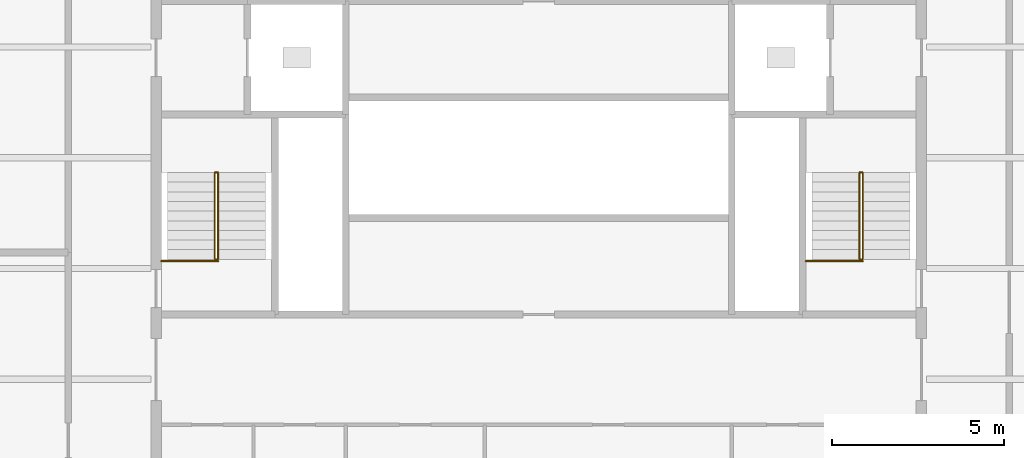
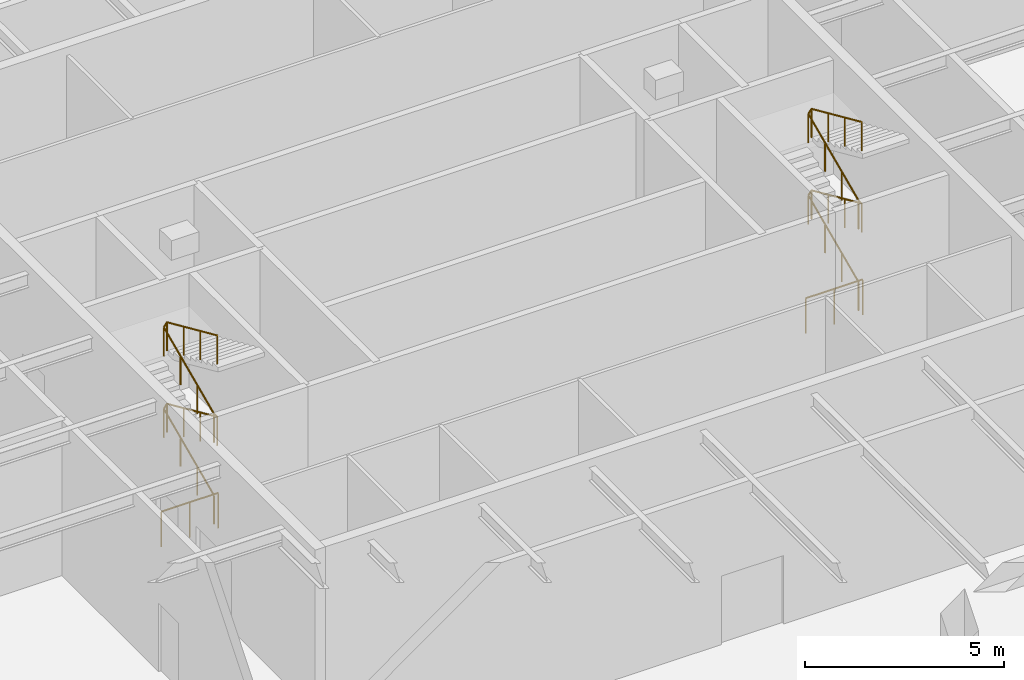
# One storey, part 6 of 6: 4 railings.
"""IFC4 building model written with IfcOpenShell, lengths in metres."""

from ifc_helpers import new_model, si_unit, direction, frame, origin, origin_2d, place, context, subcontext, project, spatial, circle, extrude, material, type_object, element, save


model = new_model("IFC4")

# Units and contexts
model_context = context("Model", 3, precision=1e-05, world=origin(), true_north=direction((0.0, 1.0)))
body_context = subcontext(model_context, "Body", "Model", "MODEL_VIEW")
ifc_project = project(units=[si_unit("LENGTHUNIT", "METRE"), si_unit("AREAUNIT", "SQUARE_METRE"), si_unit("VOLUMEUNIT", "CUBIC_METRE"), si_unit("PLANEANGLEUNIT", "RADIAN"), si_unit("MASSUNIT", "GRAM", prefix="KILO")], contexts=[model_context])

# Site, building, storey
site_placement = place(None, origin())
site = spatial("IfcSite", under=ifc_project, at=site_placement, CompositionType="ELEMENT")
building_placement = place(site_placement, origin())
building = spatial("IfcBuilding", under=site, at=building_placement, Name="Quoin Convention Tower", CompositionType="ELEMENT")
storey_placement = place(building_placement, frame((0.0, 0.0, 268.699951171875)))
storey = spatial("IfcBuildingStorey", under=building, at=storey_placement, Name="L70", CompositionType="ELEMENT", Elevation=268.699951171875)

# Railings
ifc_material = material(Name="Stainless steel", Category="steel")
railing_type_1 = type_object("IfcRailingType", Name="Stair handrail 900", PredefinedType="HANDRAIL", material=ifc_material)
railing_1_placement = place(storey_placement, frame((46.85498046875, 57.800048828125, 0.125)))
element("IfcRailing", 1, at=railing_1_placement, inside=storey, type_object=railing_type_1, Name="SD1 handrail 1", PredefinedType="HANDRAIL", context=body_context, shape_type="SweptSolid", body=[
    extrude(circle(Radius=0.02392578125, at=origin_2d()), frame((0.0, 0.0, 0.8759765625), z_axis=(0.0, 0.913139058521, 0.407648205936), x_axis=(-1.0, 0.0, 0.0)), (0.0, 0.0, 1.0), 2.759765625),
    extrude(circle(Radius=0.02392578125, at=origin_2d()), frame((0.0, 2.52001953125, 2.0009765625), z_axis=(0.584680334893, 0.0, 0.811263770909), x_axis=(0.0, 1.0, 0.0)), (0.0, 0.0, 1.0), 0.154052734375),
    extrude(circle(Radius=0.02392578125, at=origin_2d()), frame((0.090087890625, 2.52001953125, 2.1259765625), z_axis=(0.0, -0.913139058521, 0.407648205936), x_axis=(1.0, 0.0, 0.0)), (0.0, 0.0, 1.0), 2.759765625),
    extrude(circle(Radius=0.02392578125, at=origin_2d()), frame((0.090087890625, 0.0, 3.2509765625), z_axis=(-0.584680334893, 0.0, 0.811263770909), x_axis=(0.0, -1.0, 0.0)), (0.0, 0.0, 1.0), 0.154052734375),
    extrude(circle(Radius=0.02392578125, at=origin_2d()), frame((0.0, 0.0, 3.3759765625), z_axis=(0.0, 0.913139058521, 0.407648205936), x_axis=(-1.0, 0.0, 0.0)), (0.0, 0.0, 1.0), 2.759765625),
    extrude(circle(Radius=0.02392578125, at=origin_2d()), frame((0.0, 2.52001953125, 4.5009765625), z_axis=(0.584680334893, 0.0, 0.811263770909), x_axis=(0.0, 1.0, 0.0)), (0.0, 0.0, 1.0), 0.154052734375),
    extrude(circle(Radius=0.02392578125, at=origin_2d()), frame((0.090087890625, 2.52001953125, 4.6259765625), z_axis=(0.0, -0.913139058521, 0.407648205936), x_axis=(1.0, 0.0, 0.0)), (0.0, 0.0, 1.0), 2.759765625),
    extrude(circle(Radius=0.02099609375, at=origin_2d()), origin(), (0.0, 0.0, 1.0), 0.851806640625),
    extrude(circle(Radius=0.02099609375, at=origin_2d()), frame((0.0, 0.840087890625, 0.375)), (0.0, 0.0, 1.0), 0.851806640625),
    extrude(circle(Radius=0.02099609375, at=origin_2d()), frame((0.0, 1.679931640625, 0.75)), (0.0, 0.0, 1.0), 0.851806640625),
    extrude(circle(Radius=0.02099609375, at=origin_2d()), frame((0.0, 2.52001953125, 1.125)), (0.0, 0.0, 1.0), 0.851806640625),
    extrude(circle(Radius=0.02099609375, at=origin_2d()), frame((0.090087890625, 2.52001953125, 1.25)), (0.0, 0.0, 1.0), 0.851806640625),
    extrude(circle(Radius=0.02099609375, at=origin_2d()), frame((0.090087890625, 1.679931640625, 1.625)), (0.0, 0.0, 1.0), 0.851806640625),
    extrude(circle(Radius=0.02099609375, at=origin_2d()), frame((0.090087890625, 0.840087890625, 2.0)), (0.0, 0.0, 1.0), 0.851806640625),
    extrude(circle(Radius=0.02099609375, at=origin_2d()), frame((0.090087890625, 0.0, 2.375)), (0.0, 0.0, 1.0), 0.851806640625),
    extrude(circle(Radius=0.02099609375, at=origin_2d()), frame((0.0, 0.0, 2.5)), (0.0, 0.0, 1.0), 0.851806640625),
    extrude(circle(Radius=0.02099609375, at=origin_2d()), frame((0.0, 0.840087890625, 2.875)), (0.0, 0.0, 1.0), 0.851806640625),
    extrude(circle(Radius=0.02099609375, at=origin_2d()), frame((0.0, 1.679931640625, 3.25)), (0.0, 0.0, 1.0), 0.851806640625),
    extrude(circle(Radius=0.02099609375, at=origin_2d()), frame((0.0, 2.52001953125, 3.625)), (0.0, 0.0, 1.0), 0.851806640625),
    extrude(circle(Radius=0.02099609375, at=origin_2d()), frame((0.090087890625, 2.52001953125, 3.75)), (0.0, 0.0, 1.0), 0.851806640625),
    extrude(circle(Radius=0.02099609375, at=origin_2d()), frame((0.090087890625, 1.679931640625, 4.125)), (0.0, 0.0, 1.0), 0.851806640625),
    extrude(circle(Radius=0.02099609375, at=origin_2d()), frame((0.090087890625, 0.840087890625, 4.5)), (0.0, 0.0, 1.0), 0.851806640625),
    extrude(circle(Radius=0.02099609375, at=origin_2d()), frame((0.090087890625, 0.0, 4.875)), (0.0, 0.0, 1.0), 0.851806640625),
])
railing_2_placement = place(storey_placement, frame((65.554931640625, 57.800048828125, 0.125)))
element("IfcRailing", 2, at=railing_2_placement, inside=storey, type_object=railing_type_1, Name="SD2 handrail 1", PredefinedType="HANDRAIL", context=body_context, shape_type="SweptSolid", body=[
    extrude(circle(Radius=0.02392578125, at=origin_2d()), frame((0.0, 0.0, 0.8759765625), z_axis=(0.0, 0.913139058521, 0.407648205936), x_axis=(-1.0, 0.0, 0.0)), (0.0, 0.0, 1.0), 2.759765625),
    extrude(circle(Radius=0.02392578125, at=origin_2d()), frame((0.0, 2.52001953125, 2.0009765625), z_axis=(0.584680334893, 0.0, 0.811263770909), x_axis=(0.0, 1.0, 0.0)), (0.0, 0.0, 1.0), 0.154052734375),
    extrude(circle(Radius=0.02392578125, at=origin_2d()), frame((0.090087890625, 2.52001953125, 2.1259765625), z_axis=(0.0, -0.913139058521, 0.407648205936), x_axis=(1.0, 0.0, 0.0)), (0.0, 0.0, 1.0), 2.759765625),
    extrude(circle(Radius=0.02392578125, at=origin_2d()), frame((0.090087890625, 0.0, 3.2509765625), z_axis=(-0.584680334893, 0.0, 0.811263770909), x_axis=(0.0, -1.0, 0.0)), (0.0, 0.0, 1.0), 0.154052734375),
    extrude(circle(Radius=0.02392578125, at=origin_2d()), frame((0.0, 0.0, 3.3759765625), z_axis=(0.0, 0.913139058521, 0.407648205936), x_axis=(-1.0, 0.0, 0.0)), (0.0, 0.0, 1.0), 2.759765625),
    extrude(circle(Radius=0.02392578125, at=origin_2d()), frame((0.0, 2.52001953125, 4.5009765625), z_axis=(0.584680334893, 0.0, 0.811263770909), x_axis=(0.0, 1.0, 0.0)), (0.0, 0.0, 1.0), 0.154052734375),
    extrude(circle(Radius=0.02392578125, at=origin_2d()), frame((0.090087890625, 2.52001953125, 4.6259765625), z_axis=(0.0, -0.913139058521, 0.407648205936), x_axis=(1.0, 0.0, 0.0)), (0.0, 0.0, 1.0), 2.759765625),
    extrude(circle(Radius=0.02099609375, at=origin_2d()), origin(), (0.0, 0.0, 1.0), 0.851806640625),
    extrude(circle(Radius=0.02099609375, at=origin_2d()), frame((0.0, 0.840087890625, 0.375)), (0.0, 0.0, 1.0), 0.851806640625),
    extrude(circle(Radius=0.02099609375, at=origin_2d()), frame((0.0, 1.679931640625, 0.75)), (0.0, 0.0, 1.0), 0.851806640625),
    extrude(circle(Radius=0.02099609375, at=origin_2d()), frame((0.0, 2.52001953125, 1.125)), (0.0, 0.0, 1.0), 0.851806640625),
    extrude(circle(Radius=0.02099609375, at=origin_2d()), frame((0.090087890625, 2.52001953125, 1.25)), (0.0, 0.0, 1.0), 0.851806640625),
    extrude(circle(Radius=0.02099609375, at=origin_2d()), frame((0.090087890625, 1.679931640625, 1.625)), (0.0, 0.0, 1.0), 0.851806640625),
    extrude(circle(Radius=0.02099609375, at=origin_2d()), frame((0.090087890625, 0.840087890625, 2.0)), (0.0, 0.0, 1.0), 0.851806640625),
    extrude(circle(Radius=0.02099609375, at=origin_2d()), frame((0.090087890625, 0.0, 2.375)), (0.0, 0.0, 1.0), 0.851806640625),
    extrude(circle(Radius=0.02099609375, at=origin_2d()), frame((0.0, 0.0, 2.5)), (0.0, 0.0, 1.0), 0.851806640625),
    extrude(circle(Radius=0.02099609375, at=origin_2d()), frame((0.0, 0.840087890625, 2.875)), (0.0, 0.0, 1.0), 0.851806640625),
    extrude(circle(Radius=0.02099609375, at=origin_2d()), frame((0.0, 1.679931640625, 3.25)), (0.0, 0.0, 1.0), 0.851806640625),
    extrude(circle(Radius=0.02099609375, at=origin_2d()), frame((0.0, 2.52001953125, 3.625)), (0.0, 0.0, 1.0), 0.851806640625),
    extrude(circle(Radius=0.02099609375, at=origin_2d()), frame((0.090087890625, 2.52001953125, 3.75)), (0.0, 0.0, 1.0), 0.851806640625),
    extrude(circle(Radius=0.02099609375, at=origin_2d()), frame((0.090087890625, 1.679931640625, 4.125)), (0.0, 0.0, 1.0), 0.851806640625),
    extrude(circle(Radius=0.02099609375, at=origin_2d()), frame((0.090087890625, 0.840087890625, 4.5)), (0.0, 0.0, 1.0), 0.851806640625),
    extrude(circle(Radius=0.02099609375, at=origin_2d()), frame((0.090087890625, 0.0, 4.875)), (0.0, 0.0, 1.0), 0.851806640625),
])
railing_type_2 = type_object("IfcRailingType", Name="Stair top guard 1100", PredefinedType="GUARDRAIL", material=ifc_material)
for number, where, name in (
    (3, (45.300048828125, 57.75, 0.0), "SD1 top guard"),
    (4, (64.0, 57.75, 0.0), "SD2 top guard"),
):
    element("IfcRailing", number, at=place(storey_placement, frame(where)), inside=storey, type_object=railing_type_2, Name=name, PredefinedType="GUARDRAIL", context=body_context, shape_type="SweptSolid", body=[
        extrude(circle(Radius=0.02392578125, at=origin_2d()), frame((0.0, 0.0, 1.076171875), z_axis=(1.0, 0.0, 0.0), x_axis=(0.0, 1.0, 0.0)), (0.0, 0.0, 1.0), 1.64501953125),
        extrude(circle(Radius=0.02099609375, at=origin_2d()), origin(), (0.0, 0.0, 1.0), 1.052001953125),
        extrude(circle(Radius=0.02099609375, at=origin_2d()), frame((0.822509765625, 0.0, 0.0)), (0.0, 0.0, 1.0), 1.052001953125),
        extrude(circle(Radius=0.02099609375, at=origin_2d()), frame((1.64501953125, 0.0, 0.0)), (0.0, 0.0, 1.0), 1.052001953125),
    ])

save(model, "model.ifc")
